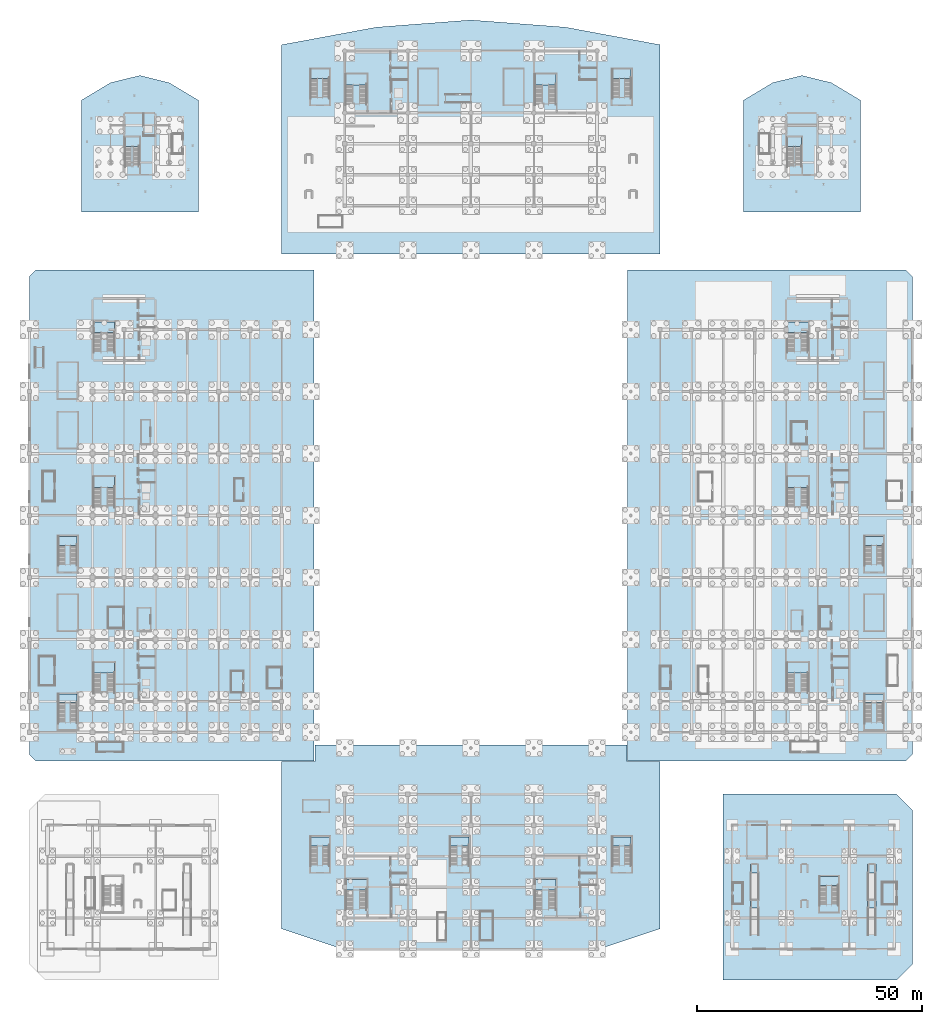
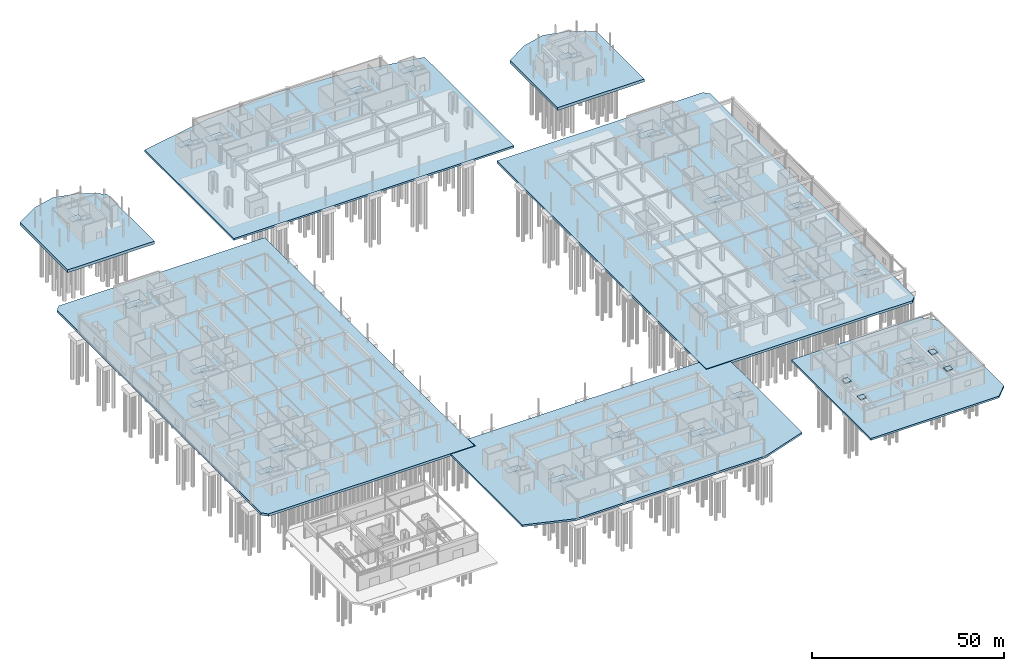
# One storey, part 36 of 62: 33 slabs, 24 elements without a shape of their own.
"""IFC4 building model written with IfcOpenShell, lengths in metres."""

import ifcopenshell
import ifcopenshell.guid

model = None  # the IFC model being written
_history = None  # IfcOwnerHistory: only IFC2X3 demands one
_inside = {}  # id of a spatial element -> (the spatial element, [elements in it])
_under = {}  # id of a project, library or spatial element -> (it, [spatial elements below it])
_declared = {}  # id of a project -> (the project, [libraries it declares])
_typed = {}  # id of a type object -> (the type object, [elements of that type])
_made_of = {}  # id of a material, layer set ... -> (it, [elements and type objects made of it])


def new_model(schema):
    """Start an empty IFC model of exactly this schema.

    Asked for "IFC4X3", IfcOpenShell would pick the latest addendum, in which some entities
    have other attributes; the version numbers below select the first issue.
    IFC2X3 requires an IfcOwnerHistory on every rooted entity: one is made here for all.
    """
    global model, _history
    if schema == "IFC4X3":
        model = ifcopenshell.file(schema_version=(4, 3, 0, 0))
    else:
        model = ifcopenshell.file(schema=schema)
    _inside.clear()
    _under.clear()
    _declared.clear()
    _typed.clear()
    _made_of.clear()
    _history = None
    if model.schema == "IFC2X3":
        org = make("IfcOrganization", Name="unknown")
        user = make(
            "IfcPersonAndOrganization",
            ThePerson=make("IfcPerson", FamilyName="unknown"),
            TheOrganization=org,
        )
        app = make(
            "IfcApplication",
            ApplicationDeveloper=org,
            Version="unknown",
            ApplicationFullName="unknown",
            ApplicationIdentifier="unknown",
        )
        _history = make(
            "IfcOwnerHistory",
            OwningUser=user,
            OwningApplication=app,
            ChangeAction="ADDED",
            CreationDate=0,
        )
    return model


def make(cls, **values):
    """One entity of the class cls with the attributes given. An attribute that is None is left unset."""
    return model.create_entity(
        cls, **{name: value for name, value in values.items() if value is not None}
    )


def rooted(cls, **values):
    """An entity with a GlobalId (a new one), such as an element, a storey or a relation."""
    return make(cls, GlobalId=ifcopenshell.guid.new(), OwnerHistory=_history, **values)


def si_unit(unit_type, name, prefix=None):
    """IfcSIUnit, for example si_unit("LENGTHUNIT", "METRE", prefix="MILLI")."""
    return make("IfcSIUnit", UnitType=unit_type, Prefix=prefix, Name=name)


def assignment(units):
    """IfcUnitAssignment: the units of a project."""
    return None if units is None else make("IfcUnitAssignment", Units=units)


def point(xyz):
    """IfcCartesianPoint."""
    return None if xyz is None else make("IfcCartesianPoint", Coordinates=xyz)


def direction(xyz):
    """IfcDirection."""
    return None if xyz is None else make("IfcDirection", DirectionRatios=xyz)


def frame(location, z_axis=None, x_axis=None):
    """IfcAxis2Placement3D, a coordinate frame: its origin and axes. An axis left out is left unset."""
    return make(
        "IfcAxis2Placement3D",
        Location=point(location),
        Axis=direction(z_axis),
        RefDirection=direction(x_axis),
    )


def origin():
    """The frame at (0, 0, 0) with its axes left unset."""
    return frame((0.0, 0.0, 0.0))


def place(relative_to, where):
    """IfcLocalPlacement: puts the frame where relative to a parent placement (None: the world)."""
    return make(
        "IfcLocalPlacement", PlacementRelTo=relative_to, RelativePlacement=where
    )


def context(
    kind, dimensions, precision=None, world=None, true_north=None, identifier=None
):
    """IfcGeometricRepresentationContext, for example the 3D "Model" context."""
    return make(
        "IfcGeometricRepresentationContext",
        ContextIdentifier=identifier,
        ContextType=kind,
        CoordinateSpaceDimension=dimensions,
        Precision=precision,
        WorldCoordinateSystem=world,
        TrueNorth=true_north,
    )


def subcontext(parent, identifier, kind, view, scale=None):
    """IfcGeometricRepresentationSubContext, for example "Body" below "Model"."""
    return make(
        "IfcGeometricRepresentationSubContext",
        ContextIdentifier=identifier,
        ContextType=kind,
        ParentContext=parent,
        TargetScale=scale,
        TargetView=view,
    )


def project(units=None, contexts=None):
    """IfcProject with its units and contexts."""
    return rooted(
        "IfcProject",
        Name="project",
        RepresentationContexts=contexts,
        UnitsInContext=assignment(units),
    )


def spatial(cls, under=None, at=None, **own):
    """A site, building, storey or space (cls), placed at a placement, below another one or the project."""
    s = rooted(cls, ObjectPlacement=at, **own)
    if under is not None:
        _under.setdefault(under.id(), (under, []))[1].append(s)
    return s


def polyline(points):
    """IfcPolyline through the points."""
    return make("IfcPolyline", Points=[point(p) for p in points])


def outline(outer, holes=None, kind="AREA"):
    """IfcArbitraryClosedProfileDef: a profile drawn as a closed curve; with holes, ...WithVoids."""
    if holes is None:
        return make("IfcArbitraryClosedProfileDef", ProfileType=kind, OuterCurve=outer)
    return make(
        "IfcArbitraryProfileDefWithVoids",
        ProfileType=kind,
        OuterCurve=outer,
        InnerCurves=holes,
    )


def extrude(swept, where, along, depth):
    """IfcExtrudedAreaSolid: the profile swept, set in the frame where, extruded along a direction by depth."""
    return make(
        "IfcExtrudedAreaSolid",
        SweptArea=swept,
        Position=where,
        ExtrudedDirection=direction(along),
        Depth=depth,
    )


def shape(context_of_items, identifier, shape_type, items):
    """IfcShapeRepresentation: the items that make up one representation, for example the "Body"."""
    return make(
        "IfcShapeRepresentation",
        ContextOfItems=context_of_items,
        RepresentationIdentifier=identifier,
        RepresentationType=shape_type,
        Items=items,
    )


def material(Name=None, Category=None):
    """IfcMaterial."""
    return make("IfcMaterial", Name=Name, Category=Category)


def layer(
    of_material, thickness, ventilated=None, Name=None, Category=None, Priority=None
):
    """IfcMaterialLayer: one layer of a wall or slab, of a material (None: an air gap)."""
    return make(
        "IfcMaterialLayer",
        Material=of_material,
        LayerThickness=thickness,
        IsVentilated=ventilated,
        Name=Name,
        Category=Category,
        Priority=Priority,
    )


def layer_set(layers, Name=None):
    """IfcMaterialLayerSet."""
    return make("IfcMaterialLayerSet", MaterialLayers=layers, LayerSetName=Name)


def made_of(thing, what):
    """Note that an element or type object is made of a material, layer set ...; save() writes the relation."""
    if what is not None:
        _made_of.setdefault(what.id(), (what, []))[1].append(thing)
    return thing


def type_object(cls, material=None, **own):
    """A type object (cls), such as IfcWallType, which elements share."""
    return made_of(rooted(cls, **own), material)


def element(
    cls,
    number,
    at=None,
    inside=None,
    cuts=None,
    type_object=None,
    material=None,
    context=None,
    identifier="Body",
    shape_type=None,
    held_by="IfcProductDefinitionShape",
    body=None,
    shapes=None,
    **own,
):
    """One element of the class cls, such as IfcWall. Its Tag is "e" and its number.

    at: its placement. inside: the storey or other place that contains it. cuts: it is an
    opening in that element (IfcRelVoidsElement). A single representation is given by context,
    identifier, shape_type and body (its items); several are given by shapes. held_by: the class
    of the entity that holds the representations. save() writes the other relations.
    """
    e = rooted(cls, Tag="e%d" % number, ObjectPlacement=at, **own)
    if body is not None:
        shapes = [shape(context, identifier, shape_type, body)]
    if shapes is not None:
        e.Representation = make(held_by, Representations=shapes)
    if inside is not None:
        _inside.setdefault(inside.id(), (inside, []))[1].append(e)
    if cuts is not None:
        rooted(
            "IfcRelVoidsElement", RelatingBuildingElement=cuts, RelatedOpeningElement=e
        )
    if type_object is not None:
        _typed.setdefault(type_object.id(), (type_object, []))[1].append(e)
    return made_of(e, material)


def aggregate(whole, parts):
    """IfcRelAggregates: a whole, such as a stair, and the parts it consists of."""
    return rooted("IfcRelAggregates", RelatingObject=whole, RelatedObjects=parts)


def save(model, path):
    """Write the relations noted so far, then the file.

    IfcRelAggregates (storeys below a building ...), IfcRelContainedInSpatialStructure (elements
    in a storey), IfcRelDefinesByType, IfcRelAssociatesMaterial and IfcRelDeclares: one each for
    every whole, place, type object, material and project.
    """
    for whole, parts in _under.values():
        aggregate(whole, parts)
    for where, things in _inside.values():
        rooted(
            "IfcRelContainedInSpatialStructure",
            RelatedElements=things,
            RelatingStructure=where,
        )
    for kind, things in _typed.values():
        rooted("IfcRelDefinesByType", RelatedObjects=things, RelatingType=kind)
    for what, things in _made_of.values():
        rooted("IfcRelAssociatesMaterial", RelatedObjects=things, RelatingMaterial=what)
    for by, libraries in _declared.values():
        rooted("IfcRelDeclares", RelatingContext=by, RelatedDefinitions=libraries)
    model.write(path)


model = new_model("IFC4")

# Units and contexts
model_context = context("Model", 3, precision=1e-05, world=origin(), true_north=direction((0.0, 1.0)))
body_context = subcontext(model_context, "Body", "Model", "MODEL_VIEW")
ifc_project = project(units=[si_unit("LENGTHUNIT", "METRE"), si_unit("AREAUNIT", "SQUARE_METRE"), si_unit("VOLUMEUNIT", "CUBIC_METRE"), si_unit("PLANEANGLEUNIT", "RADIAN"), si_unit("MASSUNIT", "GRAM", prefix="KILO")], contexts=[model_context])

# Site, building, storey
site_placement = place(None, origin())
site = spatial("IfcSite", under=ifc_project, at=site_placement, CompositionType="ELEMENT")
building_placement = place(site_placement, origin())
building = spatial("IfcBuilding", under=site, at=building_placement, Name="Linyun Crest Stadium", CompositionType="ELEMENT")
storey_placement = place(building_placement, frame((0.0, 0.0, -6.0)))
storey = spatial("IfcBuildingStorey", under=building, at=storey_placement, Name="B1", CompositionType="ELEMENT", Elevation=-6.0)

# Slabs
ifc_material_1 = material(Name="Concrete C40", Category="concrete")
ifc_layer_1 = layer(ifc_material_1, 0.60009765625)
ifc_layer_set_1 = layer_set([ifc_layer_1], Name="Concrete C40")
slab_type_1 = type_object("IfcSlabType", Name="BS01", PredefinedType="BASESLAB", material=ifc_layer_set_1)
slab_1_placement = place(storey_placement, frame((0.0, 0.0, -0.60009765625)))
element("IfcSlab", 1, at=slab_1_placement, inside=storey, type_object=slab_type_1, Name="Slab BS01 V3 B1 31", PredefinedType="BASESLAB", context=body_context, shape_type="SweptSolid", body=[
    extrude(outline(polyline([(-42.0, 60.199951171875), (42.0, 60.199951171875), (42.0, 106.625), (21.0, 110.52490234375), (0.0, 112.125), (-21.0, 110.52490234375), (-42.0, 106.625), (-42.0, 60.199951171875)])), origin(), (0.0, 0.0, 1.0), 0.60009765625),
])
slab_2_placement = place(storey_placement, frame((0.0, 0.0, -0.60009765625)))
element("IfcSlab", 2, at=slab_2_placement, inside=storey, type_object=slab_type_1, Name="Slab BS01 V4 B1 38", PredefinedType="BASESLAB", context=body_context, shape_type="SweptSolid", body=[
    extrude(outline(polyline([(-42.0, -89.625), (-28.5, -94.125), (28.5, -94.125), (42.0, -89.625), (42.0, -52.514892578125), (34.6201171875, -52.514892578125), (34.6201171875, -48.800048828125), (-34.6201171875, -48.800048828125), (-34.6201171875, -52.514892578125), (-42.0, -52.514892578125), (-42.0, -89.625)])), origin(), (0.0, 0.0, 1.0), 0.60009765625),
])
slab_3_placement = place(storey_placement, frame((0.0, 0.0, -0.60009765625)))
element("IfcSlab", 3, at=slab_3_placement, inside=storey, type_object=slab_type_1, Name="Slab BS01 V6 B1 72", PredefinedType="BASESLAB", context=body_context, shape_type="SweptSolid", body=[
    extrude(outline(polyline([(56.0, -101.0), (94.5, -101.0), (98.0, -97.5), (98.0, -63.25), (94.5, -59.75), (56.0, -59.75), (56.0, -101.0)])), origin(), (0.0, 0.0, 1.0), 0.60009765625),
])
ifc_material_2 = material(Name="Concrete C40", Category="concrete")
ifc_layer_2 = layer(ifc_material_2, 0.75)
ifc_layer_set_2 = layer_set([ifc_layer_2], Name="Concrete C40")
slab_type_2 = type_object("IfcSlabType", Name="BS02", PredefinedType="BASESLAB", material=ifc_layer_set_2)
slab_4_placement = place(storey_placement, frame((0.0, 0.0, -0.75)))
element("IfcSlab", 4, at=slab_4_placement, inside=storey, type_object=slab_type_2, Name="Slab BS02 V1 B1 1", PredefinedType="BASESLAB", context=body_context, shape_type="SweptSolid", body=[
    extrude(outline(polyline([(-96.60009765625, -52.3349609375), (-34.800048828125, -52.3349609375), (-34.800048828125, 56.5849609375), (-96.60009765625, 56.5849609375), (-98.0, 55.18505859375), (-98.0, -50.93505859375), (-96.60009765625, -52.3349609375)])), origin(), (0.0, 0.0, 1.0), 0.75),
])
slab_5_placement = place(storey_placement, frame((0.0, 0.0, -0.75)))
element("IfcSlab", 5, at=slab_5_placement, inside=storey, type_object=slab_type_2, Name="Slab BS02 V2 B1 17", PredefinedType="BASESLAB", context=body_context, shape_type="SweptSolid", body=[
    extrude(outline(polyline([(34.800048828125, -52.3349609375), (96.60009765625, -52.3349609375), (98.0, -50.93505859375), (98.0, 55.18505859375), (96.60009765625, 56.5849609375), (34.800048828125, 56.5849609375), (34.800048828125, -52.3349609375)])), origin(), (0.0, 0.0, 1.0), 0.75),
])
ifc_material_3 = material(Name="Concrete C40", Category="concrete")
ifc_layer_3 = layer(ifc_material_3, 0.89990234375)
ifc_layer_set_3 = layer_set([ifc_layer_3], Name="Concrete C40")
slab_type_3 = type_object("IfcSlabType", Name="BS03", PredefinedType="BASESLAB", material=ifc_layer_set_3)
slab_6_placement = place(storey_placement, frame((0.0, 0.0, -0.89990234375)))
element("IfcSlab", 6, at=slab_6_placement, inside=storey, type_object=slab_type_3, Name="Slab BS03 V5 B1 46", PredefinedType="BASESLAB", context=body_context, shape_type="SweptSolid", body=[
    extrude(outline(polyline([(-86.5, 69.5), (-60.5, 69.5), (-60.5, 94.300048828125), (-67.0, 98.199951171875), (-73.5, 99.800048828125), (-80.0, 98.199951171875), (-86.5, 94.300048828125), (-86.5, 69.5)])), origin(), (0.0, 0.0, 1.0), 0.89990234375),
])
slab_7_placement = place(storey_placement, frame((0.0, 0.0, -0.89990234375)))
element("IfcSlab", 7, at=slab_7_placement, inside=storey, type_object=slab_type_3, Name="Slab BS03 V5 B1 54", PredefinedType="BASESLAB", context=body_context, shape_type="SweptSolid", body=[
    extrude(outline(polyline([(60.5, 69.5), (86.5, 69.5), (86.5, 94.300048828125), (80.0, 98.199951171875), (73.5, 99.800048828125), (67.0, 98.199951171875), (60.5, 94.300048828125), (60.5, 69.5)])), origin(), (0.0, 0.0, 1.0), 0.89990234375),
])

# Stair, slab
ifc_material_4 = material(Name="Concrete C40", Category="concrete")
stair_type = type_object("IfcStairType", Name="STA01", PredefinedType="HALF_TURN_STAIR", material=ifc_material_4)
stair_1_placement = place(storey_placement, origin())
stair_1 = element("IfcStair", 8, at=stair_1_placement, inside=storey, type_object=stair_type, Name="Evacuation stair STR-01-B1", PredefinedType="HALF_TURN_STAIR")
ifc_material_5 = material(Name="Concrete C40", Category="concrete")
ifc_layer_4 = layer(ifc_material_5, 0.179931640625)
ifc_layer_set_4 = layer_set([ifc_layer_4], Name="Concrete C40")
slab_type_4 = type_object("IfcSlabType", Name="LS01", PredefinedType="LANDING", material=ifc_layer_set_4)
slab_8_placement = place(storey_placement, frame((0.0, 0.0, 2.820068359375)))
slab_8 = element("IfcSlab", 9, at=slab_8_placement, type_object=slab_type_4, Name="STR-01-B1 half-landing", PredefinedType="LANDING", context=body_context, shape_type="SweptSolid", body=[
    extrude(outline(polyline([(-83.824951171875, -32.885009765625), (-79.10009765625, -32.885009765625), (-79.10009765625, -30.52490234375), (-83.824951171875, -30.52490234375), (-83.824951171875, -32.885009765625)])), origin(), (0.0, 0.0, 1.0), 0.179931640625),
])
aggregate(stair_1, [slab_8])

stair_2_placement = place(storey_placement, origin())
stair_2 = element("IfcStair", 10, at=stair_2_placement, inside=storey, type_object=stair_type, Name="Evacuation stair STR-02-B1", PredefinedType="HALF_TURN_STAIR")
slab_9_placement = place(storey_placement, frame((0.0, 0.0, 2.820068359375)))
slab_9 = element("IfcSlab", 11, at=slab_9_placement, type_object=slab_type_4, Name="STR-02-B1 half-landing", PredefinedType="LANDING", context=body_context, shape_type="SweptSolid", body=[
    extrude(outline(polyline([(-83.800048828125, 8.364990234375), (-79.10009765625, 8.364990234375), (-79.10009765625, 10.72509765625), (-83.800048828125, 10.72509765625), (-83.800048828125, 8.364990234375)])), origin(), (0.0, 0.0, 1.0), 0.179931640625),
])
aggregate(stair_2, [slab_9])

stair_3_placement = place(storey_placement, origin())
stair_3 = element("IfcStair", 12, at=stair_3_placement, inside=storey, type_object=stair_type, Name="Evacuation stair STR-03-B1", PredefinedType="HALF_TURN_STAIR")
slab_10_placement = place(storey_placement, frame((0.0, 0.0, 2.820068359375)))
slab_10 = element("IfcSlab", 13, at=slab_10_placement, type_object=slab_type_4, Name="STR-03-B1 half-landing", PredefinedType="LANDING", context=body_context, shape_type="SweptSolid", body=[
    extrude(outline(polyline([(-83.77490234375, 42.739990234375), (-79.10009765625, 42.739990234375), (-79.10009765625, 45.10009765625), (-83.77490234375, 45.10009765625), (-83.77490234375, 42.739990234375)])), origin(), (0.0, 0.0, 1.0), 0.179931640625),
])
aggregate(stair_3, [slab_10])

stair_4_placement = place(storey_placement, origin())
stair_4 = element("IfcStair", 14, at=stair_4_placement, inside=storey, type_object=stair_type, Name="Evacuation stair STR-04-B1", PredefinedType="HALF_TURN_STAIR")
slab_11_placement = place(storey_placement, frame((0.0, 0.0, 2.820068359375)))
slab_11 = element("IfcSlab", 15, at=slab_11_placement, type_object=slab_type_4, Name="STR-04-B1 half-landing", PredefinedType="LANDING", context=body_context, shape_type="SweptSolid", body=[
    extrude(outline(polyline([(70.175048828125, -32.885009765625), (74.89990234375, -32.885009765625), (74.89990234375, -30.52490234375), (70.175048828125, -30.52490234375), (70.175048828125, -32.885009765625)])), origin(), (0.0, 0.0, 1.0), 0.179931640625),
])
aggregate(stair_4, [slab_11])

stair_5_placement = place(storey_placement, origin())
stair_5 = element("IfcStair", 16, at=stair_5_placement, inside=storey, type_object=stair_type, Name="Evacuation stair STR-05-B1", PredefinedType="HALF_TURN_STAIR")
slab_12_placement = place(storey_placement, frame((0.0, 0.0, 2.820068359375)))
slab_12 = element("IfcSlab", 17, at=slab_12_placement, type_object=slab_type_4, Name="STR-05-B1 half-landing", PredefinedType="LANDING", context=body_context, shape_type="SweptSolid", body=[
    extrude(outline(polyline([(70.199951171875, 8.364990234375), (74.89990234375, 8.364990234375), (74.89990234375, 10.72509765625), (70.199951171875, 10.72509765625), (70.199951171875, 8.364990234375)])), origin(), (0.0, 0.0, 1.0), 0.179931640625),
])
aggregate(stair_5, [slab_12])

stair_6_placement = place(storey_placement, origin())
stair_6 = element("IfcStair", 18, at=stair_6_placement, inside=storey, type_object=stair_type, Name="Evacuation stair STR-06-B1", PredefinedType="HALF_TURN_STAIR")
slab_13_placement = place(storey_placement, frame((0.0, 0.0, 2.820068359375)))
slab_13 = element("IfcSlab", 19, at=slab_13_placement, type_object=slab_type_4, Name="STR-06-B1 half-landing", PredefinedType="LANDING", context=body_context, shape_type="SweptSolid", body=[
    extrude(outline(polyline([(70.22509765625, 42.739990234375), (74.89990234375, 42.739990234375), (74.89990234375, 45.10009765625), (70.22509765625, 45.10009765625), (70.22509765625, 42.739990234375)])), origin(), (0.0, 0.0, 1.0), 0.179931640625),
])
aggregate(stair_6, [slab_13])

stair_7_placement = place(storey_placement, origin())
stair_7 = element("IfcStair", 20, at=stair_7_placement, inside=storey, type_object=stair_type, Name="Evacuation stair STR-07-B1", PredefinedType="HALF_TURN_STAIR")
slab_14_placement = place(storey_placement, frame((0.0, 0.0, 2.820068359375)))
slab_14 = element("IfcSlab", 21, at=slab_14_placement, type_object=slab_type_4, Name="STR-07-B1 half-landing", PredefinedType="LANDING", context=body_context, shape_type="SweptSolid", body=[
    extrude(outline(polyline([(-27.824951171875, 97.739990234375), (-23.10009765625, 97.739990234375), (-23.10009765625, 100.10009765625), (-27.824951171875, 100.10009765625), (-27.824951171875, 97.739990234375)])), origin(), (0.0, 0.0, 1.0), 0.179931640625),
])
aggregate(stair_7, [slab_14])

stair_8_placement = place(storey_placement, origin())
stair_8 = element("IfcStair", 22, at=stair_8_placement, inside=storey, type_object=stair_type, Name="Evacuation stair STR-08-B1", PredefinedType="HALF_TURN_STAIR")
slab_15_placement = place(storey_placement, frame((0.0, 0.0, 2.820068359375)))
slab_15 = element("IfcSlab", 23, at=slab_15_placement, type_object=slab_type_4, Name="STR-08-B1 half-landing", PredefinedType="LANDING", context=body_context, shape_type="SweptSolid", body=[
    extrude(outline(polyline([(14.199951171875, 97.739990234375), (18.89990234375, 97.739990234375), (18.89990234375, 100.10009765625), (14.199951171875, 100.10009765625), (14.199951171875, 97.739990234375)])), origin(), (0.0, 0.0, 1.0), 0.179931640625),
])
aggregate(stair_8, [slab_15])

stair_9_placement = place(storey_placement, origin())
stair_9 = element("IfcStair", 24, at=stair_9_placement, inside=storey, type_object=stair_type, Name="Evacuation stair STR-09-B1", PredefinedType="HALF_TURN_STAIR")
slab_16_placement = place(storey_placement, frame((0.0, 0.0, 2.820068359375)))
slab_16 = element("IfcSlab", 25, at=slab_16_placement, type_object=slab_type_4, Name="STR-09-B1 half-landing", PredefinedType="LANDING", context=body_context, shape_type="SweptSolid", body=[
    extrude(outline(polyline([(-27.77490234375, -81.010009765625), (-23.10009765625, -81.010009765625), (-23.10009765625, -78.64990234375), (-27.77490234375, -78.64990234375), (-27.77490234375, -81.010009765625)])), origin(), (0.0, 0.0, 1.0), 0.179931640625),
])
aggregate(stair_9, [slab_16])

stair_10_placement = place(storey_placement, origin())
stair_10 = element("IfcStair", 26, at=stair_10_placement, inside=storey, type_object=stair_type, Name="Evacuation stair STR-10-B1", PredefinedType="HALF_TURN_STAIR")
slab_17_placement = place(storey_placement, frame((0.0, 0.0, 2.820068359375)))
slab_17 = element("IfcSlab", 27, at=slab_17_placement, type_object=slab_type_4, Name="STR-10-B1 half-landing", PredefinedType="LANDING", context=body_context, shape_type="SweptSolid", body=[
    extrude(outline(polyline([(14.175048828125, -81.010009765625), (18.89990234375, -81.010009765625), (18.89990234375, -78.64990234375), (14.175048828125, -78.64990234375), (14.175048828125, -81.010009765625)])), origin(), (0.0, 0.0, 1.0), 0.179931640625),
])
aggregate(stair_10, [slab_17])

stair_11_placement = place(storey_placement, origin())
stair_11 = element("IfcStair", 28, at=stair_11_placement, inside=storey, type_object=stair_type, Name="Evacuation stair STR-11-B1", PredefinedType="HALF_TURN_STAIR")
slab_18_placement = place(storey_placement, frame((0.0, 0.0, 2.820068359375)))
slab_18 = element("IfcSlab", 29, at=slab_18_placement, type_object=slab_type_4, Name="STR-11-B1 half-landing", PredefinedType="LANDING", context=body_context, shape_type="SweptSolid", body=[
    extrude(outline(polyline([(-76.800048828125, 83.989990234375), (-73.60009765625, 83.989990234375), (-73.60009765625, 86.14990234375), (-76.800048828125, 86.14990234375), (-76.800048828125, 83.989990234375)])), origin(), (0.0, 0.0, 1.0), 0.179931640625),
])
aggregate(stair_11, [slab_18])

stair_12_placement = place(storey_placement, origin())
stair_12 = element("IfcStair", 30, at=stair_12_placement, inside=storey, type_object=stair_type, Name="Evacuation stair STR-12-B1", PredefinedType="HALF_TURN_STAIR")
slab_19_placement = place(storey_placement, frame((0.0, 0.0, 2.820068359375)))
slab_19 = element("IfcSlab", 31, at=slab_19_placement, type_object=slab_type_4, Name="STR-12-B1 half-landing", PredefinedType="LANDING", context=body_context, shape_type="SweptSolid", body=[
    extrude(outline(polyline([(70.22509765625, 83.989990234375), (73.39990234375, 83.989990234375), (73.39990234375, 86.14990234375), (70.22509765625, 86.14990234375), (70.22509765625, 83.989990234375)])), origin(), (0.0, 0.0, 1.0), 0.179931640625),
])
aggregate(stair_12, [slab_19])

stair_13_placement = place(storey_placement, origin())
stair_13 = element("IfcStair", 32, at=stair_13_placement, inside=storey, type_object=stair_type, Name="Vomitory evacuation stair STR-13-B1", PredefinedType="HALF_TURN_STAIR")
slab_20_placement = place(storey_placement, frame((0.0, 0.0, 2.820068359375)))
slab_20 = element("IfcSlab", 33, at=slab_20_placement, type_object=slab_type_4, Name="STR-13-B1 half-landing", PredefinedType="LANDING", context=body_context, shape_type="SweptSolid", body=[
    extrude(outline(polyline([(-91.60009765625, -39.530029296875), (-87.39990234375, -39.530029296875), (-87.39990234375, -37.5), (-91.60009765625, -37.5), (-91.60009765625, -39.530029296875)])), origin(), (0.0, 0.0, 1.0), 0.179931640625),
])
aggregate(stair_13, [slab_20])

stair_14_placement = place(storey_placement, origin())
stair_14 = element("IfcStair", 34, at=stair_14_placement, inside=storey, type_object=stair_type, Name="Vomitory evacuation stair STR-15-B1", PredefinedType="HALF_TURN_STAIR")
slab_21_placement = place(storey_placement, frame((0.0, 0.0, 2.820068359375)))
slab_21 = element("IfcSlab", 35, at=slab_21_placement, type_object=slab_type_4, Name="STR-15-B1 half-landing", PredefinedType="LANDING", context=body_context, shape_type="SweptSolid", body=[
    extrude(outline(polyline([(-91.60009765625, -4.530029296875), (-87.39990234375, -4.530029296875), (-87.39990234375, -2.5), (-91.60009765625, -2.5), (-91.60009765625, -4.530029296875)])), origin(), (0.0, 0.0, 1.0), 0.179931640625),
])
aggregate(stair_14, [slab_21])

stair_15_placement = place(storey_placement, origin())
stair_15 = element("IfcStair", 36, at=stair_15_placement, inside=storey, type_object=stair_type, Name="Vomitory evacuation stair STR-18-B1", PredefinedType="HALF_TURN_STAIR")
slab_22_placement = place(storey_placement, frame((0.0, 0.0, 2.820068359375)))
slab_22 = element("IfcSlab", 37, at=slab_22_placement, type_object=slab_type_4, Name="STR-18-B1 half-landing", PredefinedType="LANDING", context=body_context, shape_type="SweptSolid", body=[
    extrude(outline(polyline([(87.39990234375, -39.530029296875), (91.60009765625, -39.530029296875), (91.60009765625, -37.5), (87.39990234375, -37.5), (87.39990234375, -39.530029296875)])), origin(), (0.0, 0.0, 1.0), 0.179931640625),
])
aggregate(stair_15, [slab_22])

stair_16_placement = place(storey_placement, origin())
stair_16 = element("IfcStair", 38, at=stair_16_placement, inside=storey, type_object=stair_type, Name="Vomitory evacuation stair STR-20-B1", PredefinedType="HALF_TURN_STAIR")
slab_23_placement = place(storey_placement, frame((0.0, 0.0, 2.820068359375)))
slab_23 = element("IfcSlab", 39, at=slab_23_placement, type_object=slab_type_4, Name="STR-20-B1 half-landing", PredefinedType="LANDING", context=body_context, shape_type="SweptSolid", body=[
    extrude(outline(polyline([(87.39990234375, -4.530029296875), (91.60009765625, -4.530029296875), (91.60009765625, -2.5), (87.39990234375, -2.5), (87.39990234375, -4.530029296875)])), origin(), (0.0, 0.0, 1.0), 0.179931640625),
])
aggregate(stair_16, [slab_23])

stair_17_placement = place(storey_placement, origin())
stair_17 = element("IfcStair", 40, at=stair_17_placement, inside=storey, type_object=stair_type, Name="Vomitory evacuation stair STR-23-B1", PredefinedType="HALF_TURN_STAIR")
slab_24_placement = place(storey_placement, frame((0.0, 0.0, 2.820068359375)))
slab_24 = element("IfcSlab", 41, at=slab_24_placement, type_object=slab_type_4, Name="STR-23-B1 half-landing", PredefinedType="LANDING", context=body_context, shape_type="SweptSolid", body=[
    extrude(outline(polyline([(-35.60009765625, 99.169921875), (-31.39990234375, 99.169921875), (-31.39990234375, 101.199951171875), (-35.60009765625, 101.199951171875), (-35.60009765625, 99.169921875)])), origin(), (0.0, 0.0, 1.0), 0.179931640625),
])
aggregate(stair_17, [slab_24])

stair_18_placement = place(storey_placement, origin())
stair_18 = element("IfcStair", 42, at=stair_18_placement, inside=storey, type_object=stair_type, Name="Vomitory evacuation stair STR-26-B1", PredefinedType="HALF_TURN_STAIR")
slab_25_placement = place(storey_placement, frame((0.0, 0.0, 2.820068359375)))
slab_25 = element("IfcSlab", 43, at=slab_25_placement, type_object=slab_type_4, Name="STR-26-B1 half-landing", PredefinedType="LANDING", context=body_context, shape_type="SweptSolid", body=[
    extrude(outline(polyline([(31.39990234375, 99.169921875), (35.60009765625, 99.169921875), (35.60009765625, 101.199951171875), (31.39990234375, 101.199951171875), (31.39990234375, 99.169921875)])), origin(), (0.0, 0.0, 1.0), 0.179931640625),
])
aggregate(stair_18, [slab_25])

stair_19_placement = place(storey_placement, origin())
stair_19 = element("IfcStair", 44, at=stair_19_placement, inside=storey, type_object=stair_type, Name="Vomitory evacuation stair STR-27-B1", PredefinedType="HALF_TURN_STAIR")
slab_26_placement = place(storey_placement, frame((0.0, 0.0, 2.820068359375)))
slab_26 = element("IfcSlab", 45, at=slab_26_placement, type_object=slab_type_4, Name="STR-27-B1 half-landing", PredefinedType="LANDING", context=body_context, shape_type="SweptSolid", body=[
    extrude(outline(polyline([(-35.60009765625, -71.22998046875), (-31.39990234375, -71.22998046875), (-31.39990234375, -69.199951171875), (-35.60009765625, -69.199951171875), (-35.60009765625, -71.22998046875)])), origin(), (0.0, 0.0, 1.0), 0.179931640625),
])
aggregate(stair_19, [slab_26])

stair_20_placement = place(storey_placement, origin())
stair_20 = element("IfcStair", 46, at=stair_20_placement, inside=storey, type_object=stair_type, Name="Vomitory evacuation stair STR-28-B1", PredefinedType="HALF_TURN_STAIR")
slab_27_placement = place(storey_placement, frame((0.0, 0.0, 2.820068359375)))
slab_27 = element("IfcSlab", 47, at=slab_27_placement, type_object=slab_type_4, Name="STR-28-B1 half-landing", PredefinedType="LANDING", context=body_context, shape_type="SweptSolid", body=[
    extrude(outline(polyline([(-4.60009765625, -71.22998046875), (-0.39990234375, -71.22998046875), (-0.39990234375, -69.199951171875), (-4.60009765625, -69.199951171875), (-4.60009765625, -71.22998046875)])), origin(), (0.0, 0.0, 1.0), 0.179931640625),
])
aggregate(stair_20, [slab_27])

stair_21_placement = place(storey_placement, origin())
stair_21 = element("IfcStair", 48, at=stair_21_placement, inside=storey, type_object=stair_type, Name="Vomitory evacuation stair STR-29-B1", PredefinedType="HALF_TURN_STAIR")
slab_28_placement = place(storey_placement, frame((0.0, 0.0, 2.820068359375)))
slab_28 = element("IfcSlab", 49, at=slab_28_placement, type_object=slab_type_4, Name="STR-29-B1 half-landing", PredefinedType="LANDING", context=body_context, shape_type="SweptSolid", body=[
    extrude(outline(polyline([(31.39990234375, -71.22998046875), (35.60009765625, -71.22998046875), (35.60009765625, -69.199951171875), (31.39990234375, -69.199951171875), (31.39990234375, -71.22998046875)])), origin(), (0.0, 0.0, 1.0), 0.179931640625),
])
aggregate(stair_21, [slab_28])

stair_22_placement = place(storey_placement, origin())
stair_22 = element("IfcStair", 50, at=stair_22_placement, inside=storey, type_object=stair_type, Name="Vomitory evacuation stair STR-31-B1", PredefinedType="HALF_TURN_STAIR")
slab_29_placement = place(storey_placement, frame((0.0, 0.0, 2.820068359375)))
slab_29 = element("IfcSlab", 51, at=slab_29_placement, type_object=slab_type_4, Name="STR-31-B1 half-landing", PredefinedType="LANDING", context=body_context, shape_type="SweptSolid", body=[
    extrude(outline(polyline([(77.39990234375, -80.030029296875), (81.60009765625, -80.030029296875), (81.60009765625, -78.0), (77.39990234375, -78.0), (77.39990234375, -80.030029296875)])), origin(), (0.0, 0.0, 1.0), 0.179931640625),
])
aggregate(stair_22, [slab_29])

# Ramp, slabs
ifc_material_6 = material(Name="Concrete C40", Category="concrete")
ramp_type = type_object("IfcRampType", Name="RMP01", PredefinedType="HALF_TURN_RAMP", material=ifc_material_6)
ramp_1_placement = place(storey_placement, origin())
ramp_1 = element("IfcRamp", 52, at=ramp_1_placement, inside=storey, type_object=ramp_type, Name="Accessible pedestrian ramp RMP-03", PredefinedType="HALF_TURN_RAMP")
ifc_material_7 = material(Name="Concrete C40", Category="concrete")
ifc_layer_5 = layer(ifc_material_7, 0.199951171875)
ifc_layer_set_5 = layer_set([ifc_layer_5], Name="Concrete C40")
slab_type_5 = type_object("IfcSlabType", Name="LS02", PredefinedType="LANDING", material=ifc_layer_set_5)
slab_30_placement = place(storey_placement, frame((0.0, 0.0, 0.300048828125)))
slab_30 = element("IfcSlab", 53, at=slab_30_placement, type_object=slab_type_5, Name="RMP-03 mid-landing", PredefinedType="LANDING", context=body_context, shape_type="SweptSolid", body=[
    extrude(outline(polyline([(62.10009765625, -85.0), (63.89990234375, -85.0), (63.89990234375, -83.199951171875), (62.10009765625, -83.199951171875), (62.10009765625, -85.0)])), origin(), (0.0, 0.0, 1.0), 0.199951171875),
])
slab_31_placement = place(storey_placement, frame((0.0, 0.0, 0.800048828125)))
slab_31 = element("IfcSlab", 54, at=slab_31_placement, type_object=slab_type_5, Name="RMP-03 top-landing", PredefinedType="LANDING", context=body_context, shape_type="SweptSolid", body=[
    extrude(outline(polyline([(62.10009765625, -77.199951171875), (63.89990234375, -77.199951171875), (63.89990234375, -75.199951171875), (62.10009765625, -75.199951171875), (62.10009765625, -77.199951171875)])), origin(), (0.0, 0.0, 1.0), 0.199951171875),
])
aggregate(ramp_1, [slab_30, slab_31])

ramp_2_placement = place(storey_placement, origin())
ramp_2 = element("IfcRamp", 55, at=ramp_2_placement, inside=storey, type_object=ramp_type, Name="Accessible pedestrian ramp RMP-04", PredefinedType="HALF_TURN_RAMP")
slab_32_placement = place(storey_placement, frame((0.0, 0.0, 0.300048828125)))
slab_32 = element("IfcSlab", 56, at=slab_32_placement, type_object=slab_type_5, Name="RMP-04 mid-landing", PredefinedType="LANDING", context=body_context, shape_type="SweptSolid", body=[
    extrude(outline(polyline([(88.10009765625, -85.0), (89.89990234375, -85.0), (89.89990234375, -83.199951171875), (88.10009765625, -83.199951171875), (88.10009765625, -85.0)])), origin(), (0.0, 0.0, 1.0), 0.199951171875),
])
slab_33_placement = place(storey_placement, frame((0.0, 0.0, 0.800048828125)))
slab_33 = element("IfcSlab", 57, at=slab_33_placement, type_object=slab_type_5, Name="RMP-04 top-landing", PredefinedType="LANDING", context=body_context, shape_type="SweptSolid", body=[
    extrude(outline(polyline([(88.10009765625, -77.199951171875), (89.89990234375, -77.199951171875), (89.89990234375, -75.199951171875), (88.10009765625, -75.199951171875), (88.10009765625, -77.199951171875)])), origin(), (0.0, 0.0, 1.0), 0.199951171875),
])
aggregate(ramp_2, [slab_32, slab_33])

save(model, "model.ifc")
